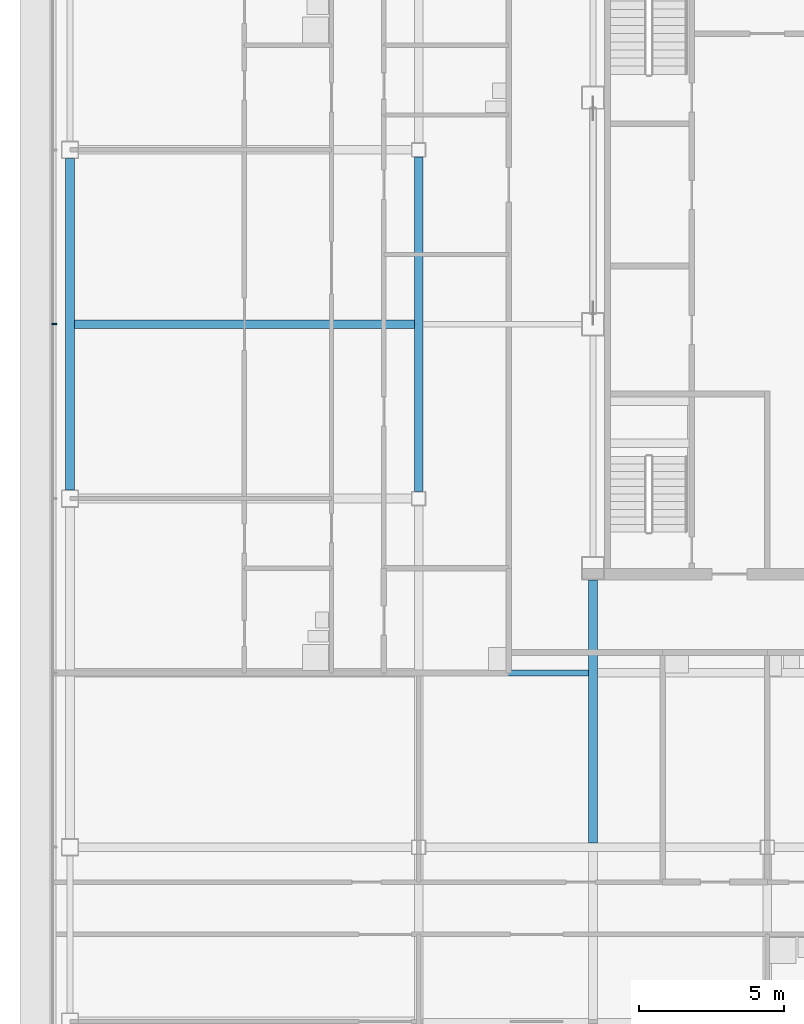
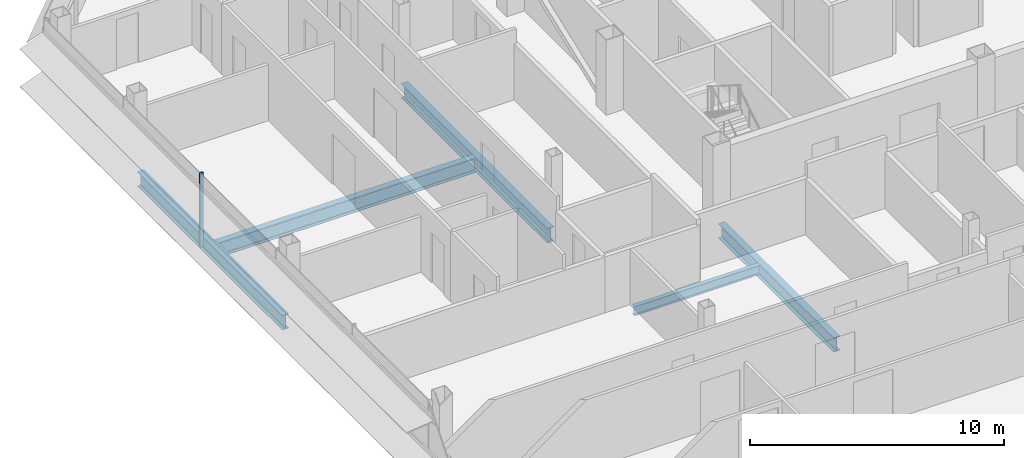
# One storey, part 7 of 28: 5 beams, 1 member, 1 element without a shape of its own.
"""IFC4 building model written with IfcOpenShell, lengths in metres."""

from ifc_helpers import new_model, si_unit, direction, frame, origin, origin_2d, place, context, subcontext, project, spatial, rectangle, i_section, extrude, material, material_profile, profile_set, type_object, element, aggregate, save


model = new_model("IFC4")

# Units and contexts
model_context = context("Model", 3, precision=1e-05, world=origin(), true_north=direction((0.0, 1.0)))
body_context = subcontext(model_context, "Body", "Model", "MODEL_VIEW")
ifc_project = project(units=[si_unit("LENGTHUNIT", "METRE"), si_unit("AREAUNIT", "SQUARE_METRE"), si_unit("VOLUMEUNIT", "CUBIC_METRE"), si_unit("PLANEANGLEUNIT", "RADIAN"), si_unit("MASSUNIT", "GRAM", prefix="KILO")], contexts=[model_context])

# Site, building, storey
site_placement = place(None, origin())
site = spatial("IfcSite", under=ifc_project, at=site_placement, CompositionType="ELEMENT")
building_placement = place(site_placement, origin())
building = spatial("IfcBuilding", under=site, at=building_placement, Name="Sorahane Residences", CompositionType="ELEMENT")
storey_placement = place(building_placement, frame((0.0, 0.0, 254.0)))
storey = spatial("IfcBuildingStorey", under=building, at=storey_placement, Name="L60", CompositionType="ELEMENT", Elevation=254.0)

# Curtain wall, member
ifc_material_1 = material(Name="Dark low-e glass and black anodised aluminium", Category="aluminium")
curtain_wall_type = type_object("IfcCurtainWallType", Name="Curtain wall CW-1 Typical unitised wall", PredefinedType="NOTDEFINED", material=ifc_material_1)
curtain_wall_placement = place(storey_placement, origin())
curtain_wall = element("IfcCurtainWall", 1, at=curtain_wall_placement, inside=storey, type_object=curtain_wall_type, Name="CW-1 curtain wall L60 W1", PredefinedType="NOTDEFINED")
ifc_material_2 = material(Name="Black anodised aluminium", Category="aluminium")
ifc_material_profile_1 = material_profile(ifc_material_2, rectangle(XDim=0.159912109375, YDim=0.050048828125, at=origin_2d()), Name="Curtain wall mullion CW-1 black anodised aluminium 50x160")
ifc_profile_set_1 = profile_set([ifc_material_profile_1], Name="Black anodised aluminium")
member_type = type_object("IfcMemberType", Name="Curtain wall mullion CW-1 black anodised aluminium 50x160", PredefinedType="MULLION", material=ifc_profile_set_1)
member_placement = place(storey_placement, frame((-12.5400390625, 30.0, -0.179931640625), z_axis=(0.0, 0.0, 1.0), x_axis=(-1.0, 0.0, 0.0)))
member = element("IfcMember", 2, at=member_placement, type_object=member_type, Name="CW-1 mullion L60 W1.3", PredefinedType="MULLION", context=body_context, shape_type="SweptSolid", body=[
    extrude(rectangle(XDim=0.159912109375, YDim=0.050048828125, at=origin_2d()), origin(), (0.0, 0.0, 1.0), 3.559814453125),
])
aggregate(curtain_wall, [member])

# Beams
ifc_material_3 = material(Name="Steel Q355B", Category="steel")
ifc_material_profile_2 = material_profile(ifc_material_3, i_section(OverallWidth=0.199951171875, OverallDepth=0.449951171875, WebThickness=0.009033203125, FlangeThickness=0.013916015625, FilletRadius=0.02001953125, at=origin_2d()), Name="HN 450x200x9x14")
ifc_profile_set_2 = profile_set([ifc_material_profile_2], Name="Steel Q355B")
beam_type_1 = type_object("IfcBeamType", Name="Steel floor beam HN 450x200x9x14 Q355B", PredefinedType="BEAM", material=ifc_profile_set_2)
beam_1_placement = place(storey_placement, frame((0.14990234375, 18.0, -0.405029296875), z_axis=(1.0, 0.0, 0.0), x_axis=(0.0, 1.0, 0.0)))
element("IfcBeam", 3, at=beam_1_placement, inside=storey, type_object=beam_type_1, Name="Beam L60 079", PredefinedType="BEAM", context=body_context, shape_type="SweptSolid", body=[
    extrude(i_section(OverallWidth=0.199951171875, OverallDepth=0.449951171875, WebThickness=0.009033203125, FlangeThickness=0.013916015625, FilletRadius=0.02001953125, at=origin_2d()), origin(), (0.0, 0.0, 1.0), 5.7001953125),
])
ifc_material_4 = material(Name="Steel Q355B", Category="steel")
ifc_material_profile_3 = material_profile(ifc_material_4, i_section(OverallWidth=0.300048828125, OverallDepth=0.699951171875, WebThickness=0.012939453125, FlangeThickness=0.02392578125, FilletRadius=0.028076171875, at=origin_2d()), Name="HN 700x300x13x24")
ifc_profile_set_3 = profile_set([ifc_material_profile_3], Name="Steel Q355B")
beam_type_2 = type_object("IfcBeamType", Name="Steel floor beam HN 700x300x13x24 Q355B", PredefinedType="BEAM", material=ifc_profile_set_3)
beam_2_placement = place(storey_placement, frame((-12.0, 24.300048828125, -0.530029296875), z_axis=(0.0, 1.0, 0.0), x_axis=(-1.0, 0.0, 0.0)))
element("IfcBeam", 4, at=beam_2_placement, inside=storey, type_object=beam_type_2, Name="Beam L60 022", PredefinedType="BEAM", context=body_context, shape_type="SweptSolid", body=[
    extrude(i_section(OverallWidth=0.300048828125, OverallDepth=0.699951171875, WebThickness=0.012939453125, FlangeThickness=0.02392578125, FilletRadius=0.028076171875, at=origin_2d()), origin(), (0.0, 0.0, 1.0), 11.39990234375),
])
beam_3_placement = place(storey_placement, frame((0.0, 24.25, -0.530029296875), z_axis=(0.0, 1.0, 0.0), x_axis=(-1.0, 0.0, 0.0)))
element("IfcBeam", 5, at=beam_3_placement, inside=storey, type_object=beam_type_2, Name="Beam L60 026", PredefinedType="BEAM", context=body_context, shape_type="SweptSolid", body=[
    extrude(i_section(OverallWidth=0.300048828125, OverallDepth=0.699951171875, WebThickness=0.012939453125, FlangeThickness=0.02392578125, FilletRadius=0.028076171875, at=origin_2d()), origin(), (0.0, 0.0, 1.0), 11.5),
])
beam_4_placement = place(storey_placement, frame((6.0, 12.14990234375, -0.530029296875), z_axis=(0.0, 1.0, 0.0), x_axis=(-1.0, 0.0, 0.0)))
element("IfcBeam", 6, at=beam_4_placement, inside=storey, type_object=beam_type_2, Name="Beam L60 029", PredefinedType="BEAM", context=body_context, shape_type="SweptSolid", body=[
    extrude(i_section(OverallWidth=0.300048828125, OverallDepth=0.699951171875, WebThickness=0.012939453125, FlangeThickness=0.02392578125, FilletRadius=0.028076171875, at=origin_2d()), origin(), (0.0, 0.0, 1.0), 9.050048828125),
])
beam_5_placement = place(storey_placement, frame((-11.85009765625, 30.0, -0.530029296875), z_axis=(1.0, 0.0, 0.0), x_axis=(0.0, 1.0, 0.0)))
element("IfcBeam", 7, at=beam_5_placement, inside=storey, type_object=beam_type_2, Name="Beam L60 085", PredefinedType="BEAM", context=body_context, shape_type="SweptSolid", body=[
    extrude(i_section(OverallWidth=0.300048828125, OverallDepth=0.699951171875, WebThickness=0.012939453125, FlangeThickness=0.02392578125, FilletRadius=0.028076171875, at=origin_2d()), origin(), (0.0, 0.0, 1.0), 11.7001953125),
])

save(model, "model.ifc")
